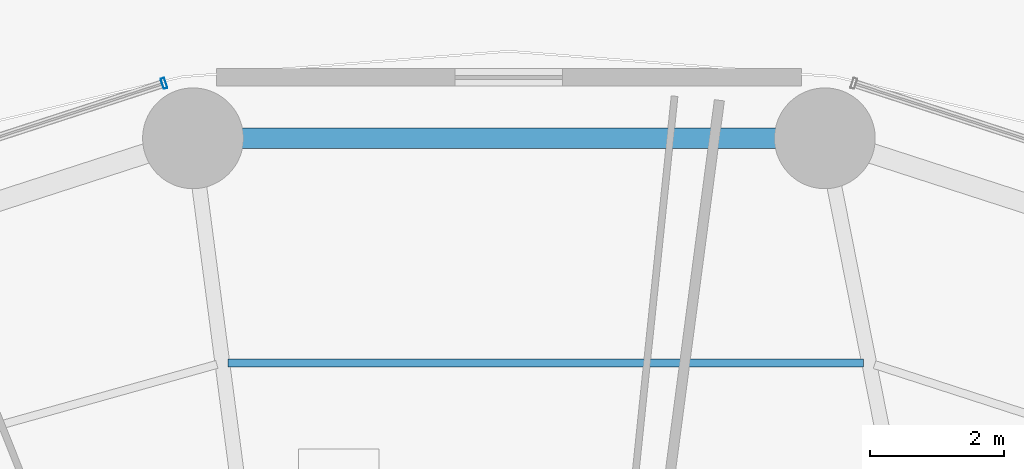
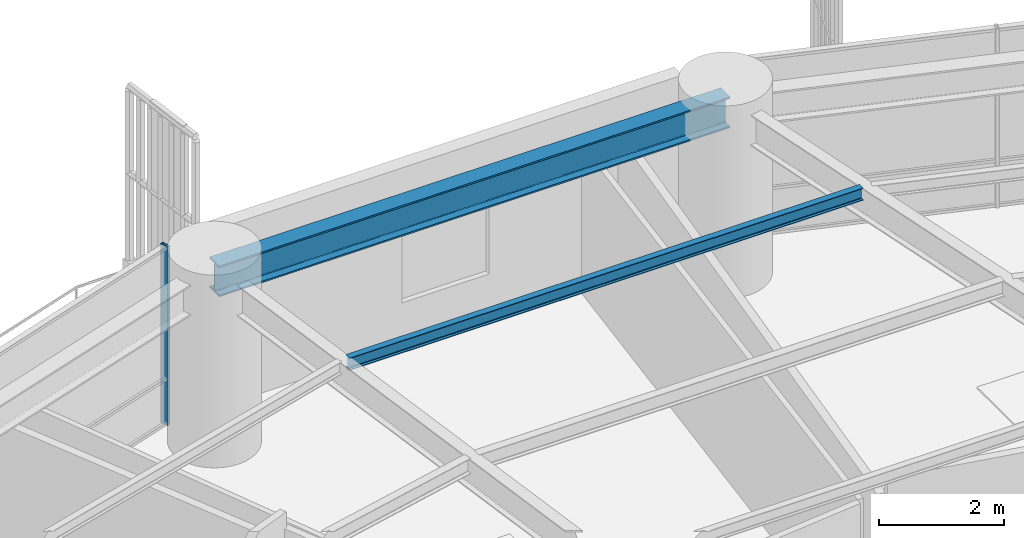
# One storey, part 17 of 32: 2 beams, 1 member, 1 element without a shape of its own.
"""IFC4 building model written with IfcOpenShell, lengths in metres."""

import ifcopenshell
import ifcopenshell.guid

model = None  # the IFC model being written
_history = None  # IfcOwnerHistory: only IFC2X3 demands one
_inside = {}  # id of a spatial element -> (the spatial element, [elements in it])
_under = {}  # id of a project, library or spatial element -> (it, [spatial elements below it])
_declared = {}  # id of a project -> (the project, [libraries it declares])
_typed = {}  # id of a type object -> (the type object, [elements of that type])
_made_of = {}  # id of a material, layer set ... -> (it, [elements and type objects made of it])


def new_model(schema):
    """Start an empty IFC model of exactly this schema.

    Asked for "IFC4X3", IfcOpenShell would pick the latest addendum, in which some entities
    have other attributes; the version numbers below select the first issue.
    IFC2X3 requires an IfcOwnerHistory on every rooted entity: one is made here for all.
    """
    global model, _history
    if schema == "IFC4X3":
        model = ifcopenshell.file(schema_version=(4, 3, 0, 0))
    else:
        model = ifcopenshell.file(schema=schema)
    _inside.clear()
    _under.clear()
    _declared.clear()
    _typed.clear()
    _made_of.clear()
    _history = None
    if model.schema == "IFC2X3":
        org = make("IfcOrganization", Name="unknown")
        user = make(
            "IfcPersonAndOrganization",
            ThePerson=make("IfcPerson", FamilyName="unknown"),
            TheOrganization=org,
        )
        app = make(
            "IfcApplication",
            ApplicationDeveloper=org,
            Version="unknown",
            ApplicationFullName="unknown",
            ApplicationIdentifier="unknown",
        )
        _history = make(
            "IfcOwnerHistory",
            OwningUser=user,
            OwningApplication=app,
            ChangeAction="ADDED",
            CreationDate=0,
        )
    return model


def make(cls, **values):
    """One entity of the class cls with the attributes given. An attribute that is None is left unset."""
    return model.create_entity(
        cls, **{name: value for name, value in values.items() if value is not None}
    )


def rooted(cls, **values):
    """An entity with a GlobalId (a new one), such as an element, a storey or a relation."""
    return make(cls, GlobalId=ifcopenshell.guid.new(), OwnerHistory=_history, **values)


def si_unit(unit_type, name, prefix=None):
    """IfcSIUnit, for example si_unit("LENGTHUNIT", "METRE", prefix="MILLI")."""
    return make("IfcSIUnit", UnitType=unit_type, Prefix=prefix, Name=name)


def assignment(units):
    """IfcUnitAssignment: the units of a project."""
    return None if units is None else make("IfcUnitAssignment", Units=units)


def point(xyz):
    """IfcCartesianPoint."""
    return None if xyz is None else make("IfcCartesianPoint", Coordinates=xyz)


def direction(xyz):
    """IfcDirection."""
    return None if xyz is None else make("IfcDirection", DirectionRatios=xyz)


def frame(location, z_axis=None, x_axis=None):
    """IfcAxis2Placement3D, a coordinate frame: its origin and axes. An axis left out is left unset."""
    return make(
        "IfcAxis2Placement3D",
        Location=point(location),
        Axis=direction(z_axis),
        RefDirection=direction(x_axis),
    )


def frame_2d(location, x_axis=None):
    """IfcAxis2Placement2D, a coordinate frame in the plane: its origin and x axis."""
    return make(
        "IfcAxis2Placement2D", Location=point(location), RefDirection=direction(x_axis)
    )


def origin():
    """The frame at (0, 0, 0) with its axes left unset."""
    return frame((0.0, 0.0, 0.0))


def origin_2d():
    """The frame at (0, 0) in the plane with its x axis left unset."""
    return frame_2d((0.0, 0.0))


def place(relative_to, where):
    """IfcLocalPlacement: puts the frame where relative to a parent placement (None: the world)."""
    return make(
        "IfcLocalPlacement", PlacementRelTo=relative_to, RelativePlacement=where
    )


def context(
    kind, dimensions, precision=None, world=None, true_north=None, identifier=None
):
    """IfcGeometricRepresentationContext, for example the 3D "Model" context."""
    return make(
        "IfcGeometricRepresentationContext",
        ContextIdentifier=identifier,
        ContextType=kind,
        CoordinateSpaceDimension=dimensions,
        Precision=precision,
        WorldCoordinateSystem=world,
        TrueNorth=true_north,
    )


def subcontext(parent, identifier, kind, view, scale=None):
    """IfcGeometricRepresentationSubContext, for example "Body" below "Model"."""
    return make(
        "IfcGeometricRepresentationSubContext",
        ContextIdentifier=identifier,
        ContextType=kind,
        ParentContext=parent,
        TargetScale=scale,
        TargetView=view,
    )


def project(units=None, contexts=None):
    """IfcProject with its units and contexts."""
    return rooted(
        "IfcProject",
        Name="project",
        RepresentationContexts=contexts,
        UnitsInContext=assignment(units),
    )


def spatial(cls, under=None, at=None, **own):
    """A site, building, storey or space (cls), placed at a placement, below another one or the project."""
    s = rooted(cls, ObjectPlacement=at, **own)
    if under is not None:
        _under.setdefault(under.id(), (under, []))[1].append(s)
    return s


def profile(cls, at=None, kind="AREA", **sizes):
    """A parametric profile (cls). Its sizes go by their IFC names, for example OverallWidth=200.0."""
    return make(cls, ProfileType=kind, Position=at, **sizes)


def hollow_rectangle(**sizes):
    """IfcRectangleHollowProfileDef."""
    return profile("IfcRectangleHollowProfileDef", **sizes)


def i_section(**sizes):
    """IfcIShapeProfileDef."""
    return profile("IfcIShapeProfileDef", **sizes)


def extrude(swept, where, along, depth):
    """IfcExtrudedAreaSolid: the profile swept, set in the frame where, extruded along a direction by depth."""
    return make(
        "IfcExtrudedAreaSolid",
        SweptArea=swept,
        Position=where,
        ExtrudedDirection=direction(along),
        Depth=depth,
    )


def shape(context_of_items, identifier, shape_type, items):
    """IfcShapeRepresentation: the items that make up one representation, for example the "Body"."""
    return make(
        "IfcShapeRepresentation",
        ContextOfItems=context_of_items,
        RepresentationIdentifier=identifier,
        RepresentationType=shape_type,
        Items=items,
    )


def material(Name=None, Category=None):
    """IfcMaterial."""
    return make("IfcMaterial", Name=Name, Category=Category)


def layer(
    of_material, thickness, ventilated=None, Name=None, Category=None, Priority=None
):
    """IfcMaterialLayer: one layer of a wall or slab, of a material (None: an air gap)."""
    return make(
        "IfcMaterialLayer",
        Material=of_material,
        LayerThickness=thickness,
        IsVentilated=ventilated,
        Name=Name,
        Category=Category,
        Priority=Priority,
    )


def layer_set(layers, Name=None):
    """IfcMaterialLayerSet."""
    return make("IfcMaterialLayerSet", MaterialLayers=layers, LayerSetName=Name)


def material_profile(
    of_material, cross_section, Name=None, Category=None, Priority=None
):
    """IfcMaterialProfile: a cross section and its material."""
    return make(
        "IfcMaterialProfile",
        Name=Name,
        Material=of_material,
        Profile=cross_section,
        Priority=Priority,
        Category=Category,
    )


def profile_set(profiles, Name=None, composite=None):
    """IfcMaterialProfileSet."""
    return make(
        "IfcMaterialProfileSet",
        Name=Name,
        MaterialProfiles=profiles,
        CompositeProfile=composite,
    )


def made_of(thing, what):
    """Note that an element or type object is made of a material, layer set ...; save() writes the relation."""
    if what is not None:
        _made_of.setdefault(what.id(), (what, []))[1].append(thing)
    return thing


def type_object(cls, material=None, **own):
    """A type object (cls), such as IfcWallType, which elements share."""
    return made_of(rooted(cls, **own), material)


def element(
    cls,
    number,
    at=None,
    inside=None,
    cuts=None,
    type_object=None,
    material=None,
    context=None,
    identifier="Body",
    shape_type=None,
    held_by="IfcProductDefinitionShape",
    body=None,
    shapes=None,
    **own,
):
    """One element of the class cls, such as IfcWall. Its Tag is "e" and its number.

    at: its placement. inside: the storey or other place that contains it. cuts: it is an
    opening in that element (IfcRelVoidsElement). A single representation is given by context,
    identifier, shape_type and body (its items); several are given by shapes. held_by: the class
    of the entity that holds the representations. save() writes the other relations.
    """
    e = rooted(cls, Tag="e%d" % number, ObjectPlacement=at, **own)
    if body is not None:
        shapes = [shape(context, identifier, shape_type, body)]
    if shapes is not None:
        e.Representation = make(held_by, Representations=shapes)
    if inside is not None:
        _inside.setdefault(inside.id(), (inside, []))[1].append(e)
    if cuts is not None:
        rooted(
            "IfcRelVoidsElement", RelatingBuildingElement=cuts, RelatedOpeningElement=e
        )
    if type_object is not None:
        _typed.setdefault(type_object.id(), (type_object, []))[1].append(e)
    return made_of(e, material)


def aggregate(whole, parts):
    """IfcRelAggregates: a whole, such as a stair, and the parts it consists of."""
    return rooted("IfcRelAggregates", RelatingObject=whole, RelatedObjects=parts)


def save(model, path):
    """Write the relations noted so far, then the file.

    IfcRelAggregates (storeys below a building ...), IfcRelContainedInSpatialStructure (elements
    in a storey), IfcRelDefinesByType, IfcRelAssociatesMaterial and IfcRelDeclares: one each for
    every whole, place, type object, material and project.
    """
    for whole, parts in _under.values():
        aggregate(whole, parts)
    for where, things in _inside.values():
        rooted(
            "IfcRelContainedInSpatialStructure",
            RelatedElements=things,
            RelatingStructure=where,
        )
    for kind, things in _typed.values():
        rooted("IfcRelDefinesByType", RelatedObjects=things, RelatingType=kind)
    for what, things in _made_of.values():
        rooted("IfcRelAssociatesMaterial", RelatedObjects=things, RelatingMaterial=what)
    for by, libraries in _declared.values():
        rooted("IfcRelDeclares", RelatingContext=by, RelatedDefinitions=libraries)
    model.write(path)


model = new_model("IFC4")

# Units and contexts
model_context = context("Model", 3, precision=1e-05, world=origin(), true_north=direction((0.0, 1.0)))
body_context = subcontext(model_context, "Body", "Model", "MODEL_VIEW")
ifc_project = project(units=[si_unit("LENGTHUNIT", "METRE"), si_unit("AREAUNIT", "SQUARE_METRE"), si_unit("VOLUMEUNIT", "CUBIC_METRE"), si_unit("PLANEANGLEUNIT", "RADIAN"), si_unit("MASSUNIT", "GRAM", prefix="KILO")], contexts=[model_context])

# Site, building, storey
site_placement = place(None, origin())
site = spatial("IfcSite", under=ifc_project, at=site_placement, CompositionType="ELEMENT")
building_placement = place(site_placement, origin())
building = spatial("IfcBuilding", under=site, at=building_placement, Name="Kelanora Arch Commons", CompositionType="ELEMENT")
storey_placement = place(building_placement, frame((0.0, 0.0, 48.75)))
storey = spatial("IfcBuildingStorey", under=building, at=storey_placement, Name="L12", CompositionType="ELEMENT", Elevation=48.75)

# Beams
ifc_material_1 = material(Name="Steel S355", Category="steel")
ifc_material_profile_1 = material_profile(ifc_material_1, i_section(OverallWidth=0.1201171875, OverallDepth=0.239990234375, WebThickness=0.006103515625, FlangeThickness=0.009765625, FilletRadius=0.014892578125, at=origin_2d()), Name="IPE240")
ifc_profile_set_1 = profile_set([ifc_material_profile_1], Name="Steel S355")
beam_type_1 = type_object("IfcBeamType", Name="BM-JST-02", PredefinedType="JOIST", material=ifc_profile_set_1)
beam_1_placement = place(storey_placement, frame((79.27685546875, 78.371337890625, 3.3701171875), z_axis=(-1.0, 0.0, 0.0), x_axis=(0.0, -1.0, 0.0)))
element("IfcBeam", 1, at=beam_1_placement, inside=storey, type_object=beam_type_1, Name="Secondary Chord Joist BJC-08 L12", PredefinedType="JOIST", context=body_context, shape_type="SweptSolid", body=[
    extrude(i_section(OverallWidth=0.1201171875, OverallDepth=0.239990234375, WebThickness=0.006103515625, FlangeThickness=0.009765625, FilletRadius=0.014892578125, at=origin_2d()), origin(), (0.0, 0.0, 1.0), 9.457763671875),
])
ifc_material_profile_2 = material_profile(ifc_material_1, i_section(OverallWidth=0.300048828125, OverallDepth=0.60009765625, WebThickness=0.015380859375, FlangeThickness=0.030029296875, FilletRadius=0.027099609375, at=origin_2d()), Name="HEB600")
ifc_profile_set_2 = profile_set([ifc_material_profile_2], Name="Steel S355")
beam_type_2 = type_object("IfcBeamType", Name="BM-SPN-Z1", PredefinedType="SPANDREL", material=ifc_profile_set_2)
beam_2_placement = place(storey_placement, frame((78.702392578125, 81.714111328125, 3.18994140625), z_axis=(-1.0, 0.0, 0.0), x_axis=(0.0, -1.0, 0.0)))
element("IfcBeam", 2, at=beam_2_placement, inside=storey, type_object=beam_type_2, Name="Perimeter Spandrel Beam BS-08 L12", PredefinedType="SPANDREL", context=body_context, shape_type="SweptSolid", body=[
    extrude(i_section(OverallWidth=0.300048828125, OverallDepth=0.60009765625, WebThickness=0.015380859375, FlangeThickness=0.030029296875, FilletRadius=0.027099609375, at=origin_2d()), origin(), (0.0, 0.0, 1.0), 9.40478515625),
])

# Curtain wall, member
ifc_material_2 = material(Name="Terracotta ceramic-fritted low-E glass and aluminium", Category="masonry")
ifc_layer = layer(ifc_material_2, 0.159912109375)
ifc_layer_set = layer_set([ifc_layer], Name="Terracotta ceramic-fritted low-E glass and aluminium")
curtain_wall_type = type_object("IfcCurtainWallType", Name="CW-SYS-01", PredefinedType="NOTDEFINED", material=ifc_layer_set)
curtain_wall_placement = place(storey_placement, origin())
curtain_wall = element("IfcCurtainWall", 3, at=curtain_wall_placement, inside=storey, type_object=curtain_wall_type, Name="Unitised Curtain Wall L12-B05", PredefinedType="NOTDEFINED")
ifc_material_3 = material(Name="Powder-coated aluminium terracotta", Category="masonry")
ifc_material_profile_3 = material_profile(ifc_material_3, hollow_rectangle(XDim=0.159912109375, YDim=0.06005859375, WallThickness=0.0048828125, InnerFilletRadius=0.0048828125, OuterFilletRadius=0.010009765625, at=origin_2d()), Name="CWM160x60")
ifc_profile_set_3 = profile_set([ifc_material_profile_3], Name="Powder-coated aluminium terracotta")
member_type = type_object("IfcMemberType", Name="CWM-STD", PredefinedType="MULLION", material=ifc_profile_set_3)
member_placement = place(storey_placement, frame((68.865478515625, 82.53173828125, 0.0), z_axis=(0.0, 0.0, 1.0), x_axis=(0.30905758454, -0.951043326793, 0.0)))
member = element("IfcMember", 4, at=member_placement, type_object=member_type, Name="CW-01 mullion 1", PredefinedType="MULLION", context=body_context, shape_type="SweptSolid", body=[
    extrude(hollow_rectangle(XDim=0.159912109375, YDim=0.06005859375, WallThickness=0.0048828125, InnerFilletRadius=0.0048828125, OuterFilletRadius=0.010009765625, at=origin_2d()), origin(), (0.0, 0.0, 1.0), 3.47509765625),
])
aggregate(curtain_wall, [member])

save(model, "model.ifc")
